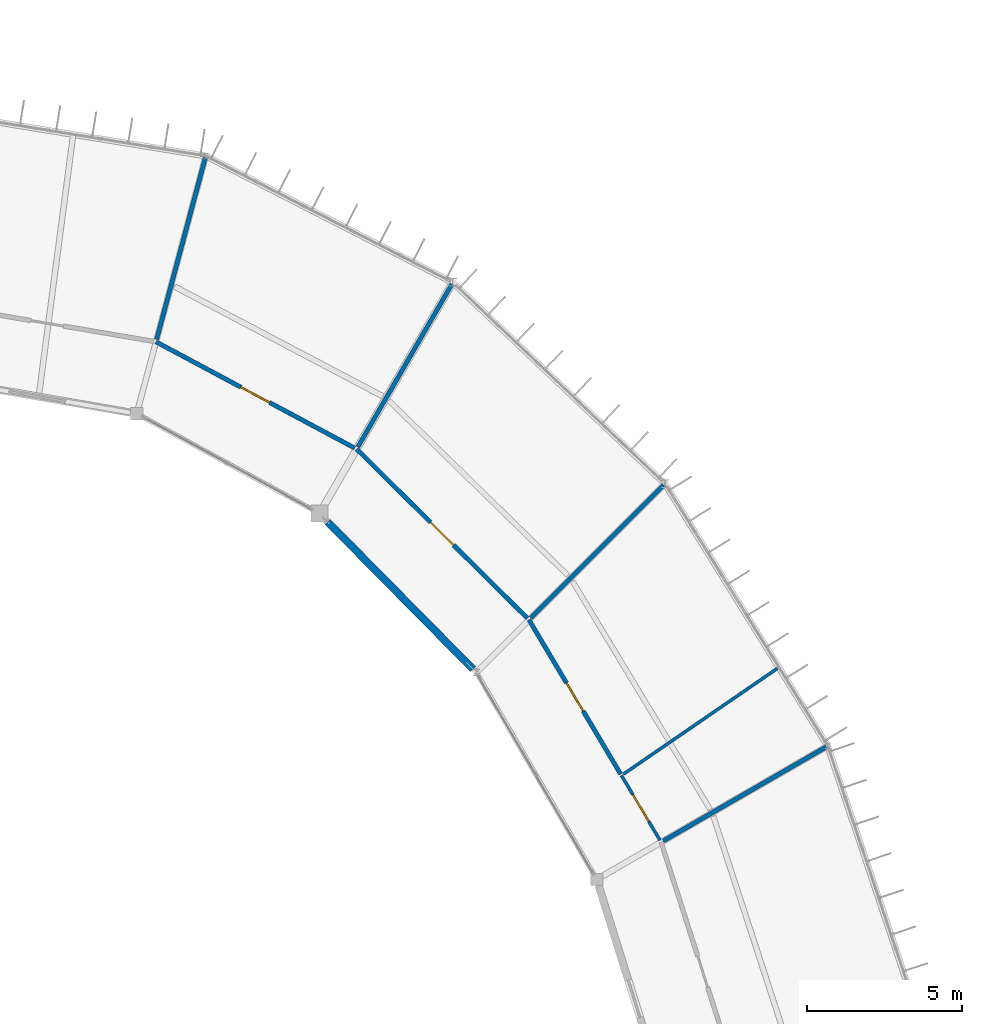
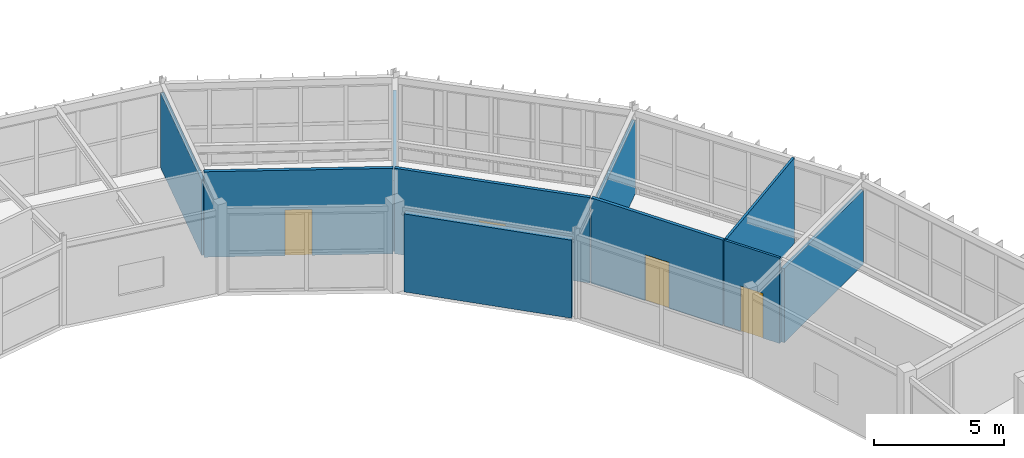
# One storey, part 97 of 106: 10 walls, 4 doors, 4 openings.
"""IFC4 building model written with IfcOpenShell, lengths in metres."""

from ifc_helpers import new_model, si_unit, direction, frame, frame_2d, origin, place, context, subcontext, project, spatial, rectangle, extrude, material, layer, layer_set, type_object, element, fill, save


model = new_model("IFC4")

# Units and contexts
model_context = context("Model", 3, precision=1e-05, world=origin(), true_north=direction((0.0, 1.0)))
body_context = subcontext(model_context, "Body", "Model", "MODEL_VIEW")
ifc_project = project(units=[si_unit("LENGTHUNIT", "METRE"), si_unit("AREAUNIT", "SQUARE_METRE"), si_unit("VOLUMEUNIT", "CUBIC_METRE"), si_unit("PLANEANGLEUNIT", "RADIAN"), si_unit("MASSUNIT", "GRAM", prefix="KILO")], contexts=[model_context])

# Site, building, storey
site_placement = place(None, origin())
site = spatial("IfcSite", under=ifc_project, at=site_placement, CompositionType="ELEMENT")
building_placement = place(site_placement, origin())
building = spatial("IfcBuilding", under=site, at=building_placement, Name="Karori Crest Natural Sciences Institute", CompositionType="ELEMENT")
storey_placement = place(building_placement, frame((0.0, 0.0, 25.89990234375)))
storey = spatial("IfcBuildingStorey", under=building, at=storey_placement, Name="L06", CompositionType="ELEMENT", Elevation=25.89990234375)

# Wall
ifc_material_1 = material(Name="Laboratory acoustic drywall partition")
ifc_layer_1 = layer(ifc_material_1, 0.139892578125, Name="Laboratory acoustic drywall partition")
ifc_layer_set_1 = layer_set([ifc_layer_1], Name="Laboratory acoustic drywall partition")
wall_type_1 = type_object("IfcWallType", Name="IWT-07", PredefinedType="PARTITIONING", material=ifc_layer_set_1)
wall_1_placement = place(storey_placement, frame((89.6787109375, 67.239990234375, 0.0), z_axis=(0.0, 0.0, 1.0), x_axis=(0.866020543329, 0.500008418462, 0.0)))
element("IfcWall", 1, at=wall_1_placement, inside=storey, type_object=wall_type_1, Name="Partition wall IW-1421", PredefinedType="PARTITIONING", context=body_context, shape_type="SweptSolid", body=[
    extrude(rectangle(XDim=6.06005859375, YDim=0.139892578125, at=frame_2d((3.030029296875, 0.0))), origin(), (0.0, 0.0, 1.0), 3.47119140625),
])

# Wall, opening, door
wall_2_placement = place(storey_placement, frame((88.30517578125, 69.39453125, 0.0), z_axis=(0.0, 0.0, 1.0), x_axis=(-0.510896676259, 0.859642126811, 0.0)))
wall_2 = element("IfcWall", 2, at=wall_2_placement, inside=storey, type_object=wall_type_1, Name="Partition wall IW-1424", PredefinedType="PARTITIONING", context=body_context, shape_type="SweptSolid", body=[
    extrude(rectangle(XDim=5.783203125, YDim=0.139892578125, at=frame_2d((2.8916015625, 0.0))), origin(), (0.0, 0.0, 1.0), 4.0),
])
opening_1_placement = place(wall_2_placement, frame((2.366455078125, 0.0, 0.0)))
opening_1 = element("IfcOpeningElement", 3, at=opening_1_placement, cuts=wall_2, Name="Opening ID-0455", PredefinedType="OPENING", context=body_context, shape_type="SweptSolid", body=[
    extrude(rectangle(XDim=1.050048828125, YDim=2.14990234375, at=frame_2d((0.52490234375, 1.074951171875))), frame((0.0, 0.080078125, 0.0), z_axis=(0.0, -1.0, 0.0), x_axis=(1.0, 0.0, 0.0)), (0.0, 0.0, 1.0), 0.159912109375),
])
ifc_material_2 = material(Name="Stainless steel 316 and fire-rated timber", Category="steel")
door_type_1 = type_object("IfcDoorType", Name="IDT-03", OperationType="NOTDEFINED", PredefinedType="DOOR", material=ifc_material_2)
door_1_placement = place(opening_1_placement, origin())
door_1 = element("IfcDoor", 4, at=door_1_placement, inside=storey, type_object=door_type_1, Name="Janitor and Consumables Store door ID-0455", OperationType="SINGLE_SWING_LEFT", OverallHeight=2.14990234375, OverallWidth=1.050048828125, PredefinedType="DOOR", context=body_context, shape_type="SweptSolid", body=[
    extrude(rectangle(XDim=1.050048828125, YDim=2.14990234375, at=frame_2d((0.52490234375, 1.074951171875))), frame((0.0, 0.02490234375, 0.0), z_axis=(0.0, -1.0, 0.0), x_axis=(1.0, 0.0, 0.0)), (0.0, 0.0, 1.0), 0.050048828125),
])
fill(opening_1, door_1)

# Wall
wall_3_placement = place(storey_placement, frame((85.406982421875, 74.422607421875, 0.0), z_axis=(0.0, 0.0, 1.0), x_axis=(0.70712692467, 0.707086637129, 0.0)))
element("IfcWall", 5, at=wall_3_placement, inside=storey, type_object=wall_type_1, Name="Partition wall IW-1425", PredefinedType="PARTITIONING", context=body_context, shape_type="SweptSolid", body=[
    extrude(rectangle(XDim=6.06005859375, YDim=0.139892578125, at=frame_2d((3.030029296875, 0.0))), origin(), (0.0, 0.0, 1.0), 3.465087890625),
])

# Wall, opening, door
wall_4_placement = place(storey_placement, frame((85.29931640625, 74.41650390625, 0.0), z_axis=(0.0, 0.0, 1.0), x_axis=(-0.710410596589, 0.703787456732, 0.0)))
wall_4 = element("IfcWall", 6, at=wall_4_placement, inside=storey, type_object=wall_type_1, Name="Partition wall IW-1426", PredefinedType="PARTITIONING", context=body_context, shape_type="SweptSolid", body=[
    extrude(rectangle(XDim=7.740966796875, YDim=0.139892578125, at=frame_2d((3.87060546875, 0.0))), origin(), (0.0, 0.0, 1.0), 4.0),
])
opening_2_placement = place(wall_4_placement, frame((3.345458984375, 0.0, 0.0)))
opening_2 = element("IfcOpeningElement", 7, at=opening_2_placement, cuts=wall_4, Name="Opening ID-0456", PredefinedType="OPENING", context=body_context, shape_type="SweptSolid", body=[
    extrude(rectangle(XDim=1.050048828125, YDim=2.14990234375, at=frame_2d((0.52490234375, 1.074951171875))), frame((0.0, 0.080078125, 0.0), z_axis=(0.0, -1.0, 0.0), x_axis=(1.0, 0.0, 0.0)), (0.0, 0.0, 1.0), 0.159912109375),
])
door_2_placement = place(opening_2_placement, origin())
door_2 = element("IfcDoor", 8, at=door_2_placement, inside=storey, type_object=door_type_1, Name="Organic Biogeochemistry Laboratory door ID-0456", OperationType="SINGLE_SWING_RIGHT", OverallHeight=2.14990234375, OverallWidth=1.050048828125, PredefinedType="DOOR", context=body_context, shape_type="SweptSolid", body=[
    extrude(rectangle(XDim=1.050048828125, YDim=2.14990234375, at=frame_2d((0.52490234375, 1.074951171875))), frame((0.0, 0.02490234375, 0.0), z_axis=(0.0, -1.0, 0.0), x_axis=(1.0, 0.0, 0.0)), (0.0, 0.0, 1.0), 0.050048828125),
])
fill(opening_2, door_2)

# Wall
wall_5_placement = place(storey_placement, frame((79.840087890625, 79.933837890625, 0.0), z_axis=(0.0, 0.0, 1.0), x_axis=(0.500008418462, 0.866020543329, 0.0)))
element("IfcWall", 9, at=wall_5_placement, inside=storey, type_object=wall_type_1, Name="Partition wall IW-1427", PredefinedType="PARTITIONING", context=body_context, shape_type="SweptSolid", body=[
    extrude(rectangle(XDim=6.06005859375, YDim=0.139892578125, at=frame_2d((3.030029296875, 0.0))), origin(), (0.0, 0.0, 1.0), 3.31298828125),
])

# Wall, opening, door
wall_6_placement = place(storey_placement, frame((79.736572265625, 79.8984375, 0.0), z_axis=(0.0, 0.0, 1.0), x_axis=(-0.881826283139, 0.471574391125, 0.0)))
wall_6 = element("IfcWall", 10, at=wall_6_placement, inside=storey, type_object=wall_type_1, Name="Partition wall IW-1428", PredefinedType="PARTITIONING", context=body_context, shape_type="SweptSolid", body=[
    extrude(rectangle(XDim=7.2578125, YDim=0.139892578125, at=frame_2d((3.62890625, 0.0))), origin(), (0.0, 0.0, 1.0), 4.0),
])
opening_3_placement = place(wall_6_placement, frame((3.10400390625, 0.0, 0.0)))
opening_3 = element("IfcOpeningElement", 11, at=opening_3_placement, cuts=wall_6, Name="Opening ID-0457", PredefinedType="OPENING", context=body_context, shape_type="SweptSolid", body=[
    extrude(rectangle(XDim=1.050048828125, YDim=2.14990234375, at=frame_2d((0.52490234375, 1.074951171875))), frame((0.0, 0.080078125, 0.0), z_axis=(0.0, -1.0, 0.0), x_axis=(1.0, 0.0, 0.0)), (0.0, 0.0, 1.0), 0.159912109375),
])
door_3_placement = place(opening_3_placement, origin())
door_3 = element("IfcDoor", 12, at=door_3_placement, inside=storey, type_object=door_type_1, Name="Molecular Ecology Wet Laboratory door ID-0457", OperationType="SINGLE_SWING_LEFT", OverallHeight=2.14990234375, OverallWidth=1.050048828125, PredefinedType="DOOR", context=body_context, shape_type="SweptSolid", body=[
    extrude(rectangle(XDim=1.050048828125, YDim=2.14990234375, at=frame_2d((0.52490234375, 1.074951171875))), frame((0.0, 0.02490234375, 0.0), z_axis=(0.0, -1.0, 0.0), x_axis=(1.0, 0.0, 0.0)), (0.0, 0.0, 1.0), 0.050048828125),
])
fill(opening_3, door_3)

# Wall
wall_7_placement = place(storey_placement, frame((73.357177734375, 83.398193359375, 0.0), z_axis=(0.0, 0.0, 1.0), x_axis=(0.258805895167, 0.965929349708, 0.0)))
element("IfcWall", 13, at=wall_7_placement, inside=storey, type_object=wall_type_1, Name="Partition wall IW-1429", PredefinedType="PARTITIONING", context=body_context, shape_type="SweptSolid", body=[
    extrude(rectangle(XDim=6.06005859375, YDim=0.139892578125, at=frame_2d((3.030029296875, 0.0))), origin(), (0.0, 0.0, 1.0), 3.522216796875),
])

# Wall, opening, door
ifc_material_3 = material(Name="Washroom moisture-resistant partition")
ifc_layer_2 = layer(ifc_material_3, 0.10009765625, Name="Washroom moisture-resistant partition")
ifc_layer_set_2 = layer_set([ifc_layer_2], Name="Washroom moisture-resistant partition")
wall_type_2 = type_object("IfcWallType", Name="IWT-09", PredefinedType="PARTITIONING", material=ifc_layer_set_2)
wall_8_placement = place(storey_placement, frame((89.57275390625, 67.261962890625, 0.0), z_axis=(0.0, 0.0, 1.0), x_axis=(-0.510928867953, 0.859622994046, 0.0)))
wall_8 = element("IfcWall", 14, at=wall_8_placement, inside=storey, type_object=wall_type_2, Name="Partition wall IW-1422", PredefinedType="PARTITIONING", context=body_context, shape_type="SweptSolid", body=[
    extrude(rectangle(XDim=2.428955078125, YDim=0.10009765625, at=frame_2d((1.21435546875, 0.0))), origin(), (0.0, 0.0, 1.0), 4.0),
])
opening_4_placement = place(wall_8_placement, frame((0.71435546875, 0.0, 0.0)))
opening_4 = element("IfcOpeningElement", 15, at=opening_4_placement, cuts=wall_8, Name="Opening ID-0454", PredefinedType="OPENING", context=body_context, shape_type="SweptSolid", body=[
    extrude(rectangle(XDim=1.0, YDim=2.10009765625, at=frame_2d((0.5, 1.050048828125))), frame((0.0, 0.06005859375, 0.0), z_axis=(0.0, -1.0, 0.0), x_axis=(1.0, 0.0, 0.0)), (0.0, 0.0, 1.0), 0.1201171875),
])
ifc_material_4 = material(Name="Anodised aluminium and acoustic timber", Category="wood")
door_type_2 = type_object("IfcDoorType", Name="IDT-09", OperationType="NOTDEFINED", PredefinedType="DOOR", material=ifc_material_4)
door_4_placement = place(opening_4_placement, origin())
door_4 = element("IfcDoor", 16, at=door_4_placement, inside=storey, type_object=door_type_2, Name="Accessible WC door ID-0454", OperationType="SINGLE_SWING_RIGHT", OverallHeight=2.10009765625, OverallWidth=1.0, PredefinedType="DOOR", context=body_context, shape_type="SweptSolid", body=[
    extrude(rectangle(XDim=1.0, YDim=2.10009765625, at=frame_2d((0.5, 1.050048828125))), frame((0.0, 0.02490234375, 0.0), z_axis=(0.0, -1.0, 0.0), x_axis=(1.0, 0.0, 0.0)), (0.0, 0.0, 1.0), 0.050048828125),
])
fill(opening_4, door_4)

# Walls
wall_9_placement = place(storey_placement, frame((88.397705078125, 69.39501953125, 0.0), z_axis=(0.0, 0.0, 1.0), x_axis=(0.824271584206, 0.566194626847, 0.0)))
element("IfcWall", 17, at=wall_9_placement, inside=storey, type_object=wall_type_2, Name="Partition wall IW-1423", PredefinedType="PARTITIONING", context=body_context, shape_type="SweptSolid", body=[
    extrude(rectangle(XDim=6.015625, YDim=0.10009765625, at=frame_2d((3.0078125, 0.0))), origin(), (0.0, 0.0, 1.0), 4.0),
])
ifc_material_5 = material(Name="Precast concrete 40 MPa", Category="concrete")
ifc_layer_3 = layer(ifc_material_5, 0.239990234375, Name="Precast concrete 40 MPa")
ifc_layer_set_3 = layer_set([ifc_layer_3], Name="Precast concrete 40 MPa")
wall_type_3 = type_object("IfcWallType", Name="WT-04", PredefinedType="SOLIDWALL", material=ifc_layer_set_3)
wall_10_placement = place(storey_placement, frame((83.55224609375, 72.771240234375, 0.0), z_axis=(0.0, 0.0, 1.0), x_axis=(-0.702659584396, 0.711526182551, 0.0)))
element("IfcWall", 18, at=wall_10_placement, inside=storey, type_object=wall_type_3, Name="Exterior wall EW-0105", PredefinedType="SOLIDWALL", context=body_context, shape_type="SweptSolid", body=[
    extrude(rectangle(XDim=6.663330078125, YDim=0.239990234375, at=frame_2d((3.33154296875, 0.0))), origin(), (0.0, 0.0, 1.0), 3.650146484375),
])

save(model, "model.ifc")
